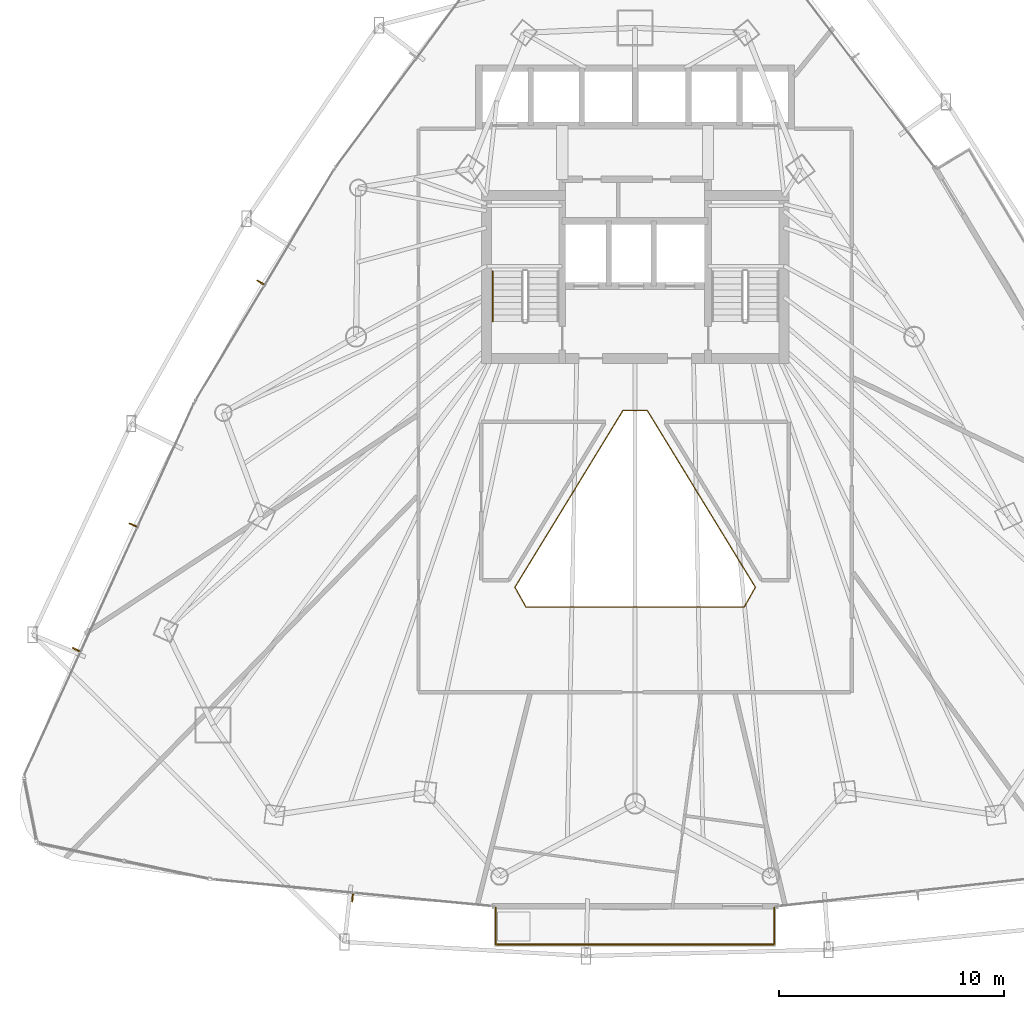
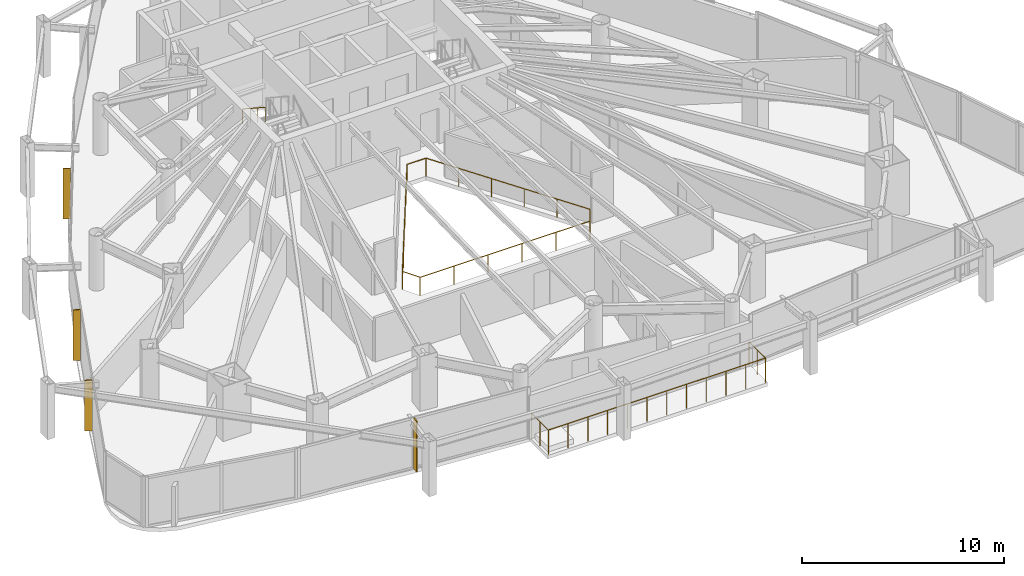
# One storey, part 31 of 33: 4 shading devices, 3 railings.
"""IFC4 building model written with IfcOpenShell, lengths in metres."""

from ifc_helpers import new_model, si_unit, direction, frame, origin, origin_2d, place, context, subcontext, project, spatial, rectangle, circle, extrude, material, layer, layer_set, type_object, element, save


model = new_model("IFC4")

# Units and contexts
model_context = context("Model", 3, precision=1e-05, world=origin(), true_north=direction((0.0, 1.0)))
body_context = subcontext(model_context, "Body", "Model", "MODEL_VIEW")
ifc_project = project(units=[si_unit("LENGTHUNIT", "METRE"), si_unit("AREAUNIT", "SQUARE_METRE"), si_unit("VOLUMEUNIT", "CUBIC_METRE"), si_unit("PLANEANGLEUNIT", "RADIAN"), si_unit("MASSUNIT", "GRAM", prefix="KILO")], contexts=[model_context])

# Site, building, storey
site_placement = place(None, origin())
site = spatial("IfcSite", under=ifc_project, at=site_placement, CompositionType="ELEMENT")
building_placement = place(site_placement, origin())
building = spatial("IfcBuilding", under=site, at=building_placement, Name="Orvanel Arch Residences", CompositionType="ELEMENT")
storey_placement = place(building_placement, frame((0.0, 0.0, 84.050048828125)))
storey = spatial("IfcBuildingStorey", under=building, at=storey_placement, Name="L23", CompositionType="ELEMENT", Elevation=84.050048828125)

# Shading devices
ifc_material_1 = material(Name="Bronze-anodised aluminium AA6063-T6", Category="aluminium")
ifc_layer = layer(ifc_material_1, 0.06005859375)
ifc_layer_set = layer_set([ifc_layer], Name="Bronze-anodised aluminium AA6063-T6")
shading_device_type = type_object("IfcShadingDeviceType", Name="FIN-BRZ-380", PredefinedType="USERDEFINED", material=ifc_layer_set)
for number, where, z_axis, x_axis, name in (
    (1, (16.318115234375, 30.055908203125, 0.0), (0.0, 0.0, 1.0), (-0.857167300702, 0.51503807491, 0.0), "L23 Anodised Bronze Mullion FIN 01"),
    (2, (10.639892578125, 19.256103515625, 0.0), (0.0, 0.0, 1.0), (-0.909961270877, 0.414693242656, 0.0), "L23 Anodised Bronze Mullion FIN 01"),
    (3, (8.10595703125, 13.705078125, 0.0), (0.0, 0.0, 1.0), (-0.909961270877, 0.414693242656, 0.0), "L23 Anodised Bronze Mullion FIN 02"),
    (4, (20.4150390625, 2.655029296875, 0.0), (0.0, 0.0, 1.0), (-0.09584575252, -0.995396198367, 0.0), "L23 Anodised Bronze Mullion FIN 01"),
):
    element("IfcShadingDevice", number, at=place(storey_placement, frame(where, z_axis=z_axis, x_axis=x_axis)), inside=storey, type_object=shading_device_type, Name=name, ObjectType="FIN", PredefinedType="USERDEFINED", context=body_context, shape_type="SweptSolid", body=[
        extrude(rectangle(XDim=0.3798828125, YDim=0.06005859375, at=origin_2d()), origin(), (0.0, 0.0, 1.0), 3.06005859375),
    ])

# Railings
railing_type_1 = type_object("IfcRailingType", Name="RL-ATR-1120", PredefinedType="BALUSTRADE", material=ifc_material_1)
railing_1_placement = place(storey_placement, frame((33.5419921875, 24.35009765625, 0.0)))
element("IfcRailing", 5, at=railing_1_placement, inside=storey, type_object=railing_type_1, Name="L23 Atrium Void Protective Balustrade", PredefinedType="BALUSTRADE", context=body_context, shape_type="SweptSolid", body=[
    extrude(circle(Radius=0.02392578125, at=origin_2d()), frame((-0.00146484375, 0.0, 1.09619140625), z_axis=(-1.0, 0.0, 0.0), x_axis=(0.0, -1.0, 0.0)), (0.0, 0.0, 1.0), 1.0810546875),
    extrude(circle(Radius=0.02392578125, at=origin_2d()), frame((-1.084716796875, -0.001220703125, 1.09619140625), z_axis=(-0.521634200297, -0.853169245273, 0.0), x_axis=(0.853169245273, -0.521634200297, 0.0)), (0.0, 0.0, 1.0), 9.218017578125),
    extrude(circle(Radius=0.02392578125, at=origin_2d()), frame((-5.893310546875, -7.868408203125, 1.09619140625), z_axis=(0.488471861753, -0.872579646952, 0.0), x_axis=(0.872579646952, 0.488471861753, 0.0)), (0.0, 0.0, 1.0), 1.0146484375),
    extrude(circle(Radius=0.02392578125, at=origin_2d()), frame((-5.3955078125, -8.755126953125, 1.09619140625), z_axis=(1.0, 0.0, 0.0), x_axis=(0.0, 1.0, 0.0)), (0.0, 0.0, 1.0), 9.70703125),
    extrude(circle(Radius=0.02392578125, at=origin_2d()), frame((4.313720703125, -8.75390625, 1.09619140625), z_axis=(0.488471861753, 0.872579646952, 0.0), x_axis=(-0.872579646952, 0.488471861753, 0.0)), (0.0, 0.0, 1.0), 1.0146484375),
    extrude(circle(Radius=0.02392578125, at=origin_2d()), frame((4.809326171875, -7.865966796875, 1.09619140625), z_axis=(-0.521634200297, 0.853169245273, 0.0), x_axis=(-0.853169245273, -0.521634200297, 0.0)), (0.0, 0.0, 1.0), 9.218017578125),
    extrude(circle(Radius=0.02099609375, at=origin_2d()), origin(), (0.0, 0.0, 1.0), 1.070068359375),
    extrude(circle(Radius=0.02099609375, at=origin_2d()), frame((-1.083984375, 0.0, 0.0)), (0.0, 0.0, 1.0), 1.070068359375),
    extrude(circle(Radius=0.02099609375, at=origin_2d()), frame((-2.0458984375, -1.573486328125, 0.0)), (0.0, 0.0, 1.0), 1.070068359375),
    extrude(circle(Radius=0.02099609375, at=origin_2d()), frame((-3.008056640625, -3.14697265625, 0.0)), (0.0, 0.0, 1.0), 1.070068359375),
    extrude(circle(Radius=0.02099609375, at=origin_2d()), frame((-3.969970703125, -4.72021484375, 0.0)), (0.0, 0.0, 1.0), 1.070068359375),
    extrude(circle(Radius=0.02099609375, at=origin_2d()), frame((-4.93212890625, -6.293701171875, 0.0)), (0.0, 0.0, 1.0), 1.070068359375),
    extrude(circle(Radius=0.02099609375, at=origin_2d()), frame((-5.89404296875, -7.8671875, 0.0)), (0.0, 0.0, 1.0), 1.070068359375),
    extrude(circle(Radius=0.02099609375, at=origin_2d()), frame((-5.39697265625, -8.755126953125, 0.0)), (0.0, 0.0, 1.0), 1.070068359375),
    extrude(circle(Radius=0.02099609375, at=origin_2d()), frame((-3.455078125, -8.755126953125, 0.0)), (0.0, 0.0, 1.0), 1.070068359375),
    extrude(circle(Radius=0.02099609375, at=origin_2d()), frame((-1.512939453125, -8.755126953125, 0.0)), (0.0, 0.0, 1.0), 1.070068359375),
    extrude(circle(Radius=0.02099609375, at=origin_2d()), frame((0.428955078125, -8.755126953125, 0.0)), (0.0, 0.0, 1.0), 1.070068359375),
    extrude(circle(Radius=0.02099609375, at=origin_2d()), frame((2.37109375, -8.755126953125, 0.0)), (0.0, 0.0, 1.0), 1.070068359375),
    extrude(circle(Radius=0.02099609375, at=origin_2d()), frame((4.31298828125, -8.755126953125, 0.0)), (0.0, 0.0, 1.0), 1.070068359375),
    extrude(circle(Radius=0.02099609375, at=origin_2d()), frame((4.81005859375, -7.8671875, 0.0)), (0.0, 0.0, 1.0), 1.070068359375),
    extrude(circle(Radius=0.02099609375, at=origin_2d()), frame((3.84814453125, -6.293701171875, 0.0)), (0.0, 0.0, 1.0), 1.070068359375),
    extrude(circle(Radius=0.02099609375, at=origin_2d()), frame((2.885986328125, -4.72021484375, 0.0)), (0.0, 0.0, 1.0), 1.070068359375),
    extrude(circle(Radius=0.02099609375, at=origin_2d()), frame((1.924072265625, -3.14697265625, 0.0)), (0.0, 0.0, 1.0), 1.070068359375),
    extrude(circle(Radius=0.02099609375, at=origin_2d()), frame((0.9619140625, -1.573486328125, 0.0)), (0.0, 0.0, 1.0), 1.070068359375),
])
railing_type_2 = type_object("IfcRailingType", Name="RL-BAL-1480", PredefinedType="BALUSTRADE", material=ifc_material_1)
railing_2_placement = place(storey_placement, frame((26.798095703125, 2.2099609375, 0.0)))
element("IfcRailing", 6, at=railing_2_placement, inside=storey, type_object=railing_type_2, Name="L23 Balcony Perimeter Guardrail Face 2", PredefinedType="BALUSTRADE", context=body_context, shape_type="SweptSolid", body=[
    extrude(circle(Radius=0.02392578125, at=origin_2d()), frame((0.0, -0.00146484375, 1.4560546875), z_axis=(0.0, -1.0, 0.0), x_axis=(1.0, 0.0, 0.0)), (0.0, 0.0, 1.0), 1.636962890625),
    extrude(circle(Radius=0.02392578125, at=origin_2d()), frame((0.00146484375, -1.639892578125, 1.4560546875), z_axis=(1.0, 0.0, 0.0), x_axis=(0.0, 1.0, 0.0)), (0.0, 0.0, 1.0), 12.40087890625),
    extrude(circle(Radius=0.02392578125, at=origin_2d()), frame((12.40380859375, -1.638427734375, 1.4560546875), z_axis=(0.0, 1.0, 0.0), x_axis=(-1.0, 0.0, 0.0)), (0.0, 0.0, 1.0), 1.636962890625),
    extrude(circle(Radius=0.02099609375, at=origin_2d()), origin(), (0.0, 0.0, 1.0), 1.429931640625),
    extrude(circle(Radius=0.02099609375, at=origin_2d()), frame((0.0, -0.81982421875, 0.0)), (0.0, 0.0, 1.0), 1.429931640625),
    extrude(circle(Radius=0.02099609375, at=origin_2d()), frame((0.0, -1.639892578125, 0.0)), (0.0, 0.0, 1.0), 1.429931640625),
    extrude(circle(Radius=0.02099609375, at=origin_2d()), frame((1.127685546875, -1.639892578125, 0.0)), (0.0, 0.0, 1.0), 1.429931640625),
    extrude(circle(Radius=0.02099609375, at=origin_2d()), frame((2.255126953125, -1.639892578125, 0.0)), (0.0, 0.0, 1.0), 1.429931640625),
    extrude(circle(Radius=0.02099609375, at=origin_2d()), frame((3.3828125, -1.639892578125, 0.0)), (0.0, 0.0, 1.0), 1.429931640625),
    extrude(circle(Radius=0.02099609375, at=origin_2d()), frame((4.510498046875, -1.639892578125, 0.0)), (0.0, 0.0, 1.0), 1.429931640625),
    extrude(circle(Radius=0.02099609375, at=origin_2d()), frame((5.63818359375, -1.639892578125, 0.0)), (0.0, 0.0, 1.0), 1.429931640625),
    extrude(circle(Radius=0.02099609375, at=origin_2d()), frame((6.765625, -1.639892578125, 0.0)), (0.0, 0.0, 1.0), 1.429931640625),
    extrude(circle(Radius=0.02099609375, at=origin_2d()), frame((7.893310546875, -1.639892578125, 0.0)), (0.0, 0.0, 1.0), 1.429931640625),
    extrude(circle(Radius=0.02099609375, at=origin_2d()), frame((9.02099609375, -1.639892578125, 0.0)), (0.0, 0.0, 1.0), 1.429931640625),
    extrude(circle(Radius=0.02099609375, at=origin_2d()), frame((10.148681640625, -1.639892578125, 0.0)), (0.0, 0.0, 1.0), 1.429931640625),
    extrude(circle(Radius=0.02099609375, at=origin_2d()), frame((11.276123046875, -1.639892578125, 0.0)), (0.0, 0.0, 1.0), 1.429931640625),
    extrude(circle(Radius=0.02099609375, at=origin_2d()), frame((12.40380859375, -1.639892578125, 0.0)), (0.0, 0.0, 1.0), 1.429931640625),
    extrude(circle(Radius=0.02099609375, at=origin_2d()), frame((12.40380859375, -0.81982421875, 0.0)), (0.0, 0.0, 1.0), 1.429931640625),
    extrude(circle(Radius=0.02099609375, at=origin_2d()), frame((12.40380859375, 0.0, 0.0)), (0.0, 0.0, 1.0), 1.429931640625),
])
ifc_material_2 = material(Name="Structural steel AS/NZS 1163 C350L0 (Grade 350)", Category="steel")
railing_type_3 = type_object("IfcRailingType", Name="RL-STAIR-HAND", PredefinedType="HANDRAIL", material=ifc_material_2)
railing_3_placement = place(storey_placement, frame((26.64990234375, 30.56005859375, 1.833251953125)))
element("IfcRailing", 7, at=railing_3_placement, inside=storey, type_object=railing_type_3, Name="L23 ST-1 stair handrail 2", PredefinedType="HANDRAIL", context=body_context, shape_type="SweptSolid", body=[
    extrude(circle(Radius=0.02392578125, at=origin_2d()), frame((0.0, -0.001220703125, 0.876708984375), z_axis=(0.0, -0.836595146698, 0.547821650285), x_axis=(1.0, 0.0, 0.0)), (0.0, 0.0, 1.0), 2.674560546875),
    extrude(circle(Radius=0.02099609375, at=origin_2d()), origin(), (0.0, 0.0, 1.0), 0.849853515625),
    extrude(circle(Radius=0.02099609375, at=origin_2d()), frame((0.0, -0.74658203125, 0.489013671875)), (0.0, 0.0, 1.0), 0.849853515625),
    extrude(circle(Radius=0.02099609375, at=origin_2d()), frame((0.0, -1.493408203125, 0.977783203125)), (0.0, 0.0, 1.0), 0.849853515625),
    extrude(circle(Radius=0.02099609375, at=origin_2d()), frame((0.0, -2.239990234375, 1.466796875)), (0.0, 0.0, 1.0), 0.849853515625),
])

save(model, "model.ifc")
